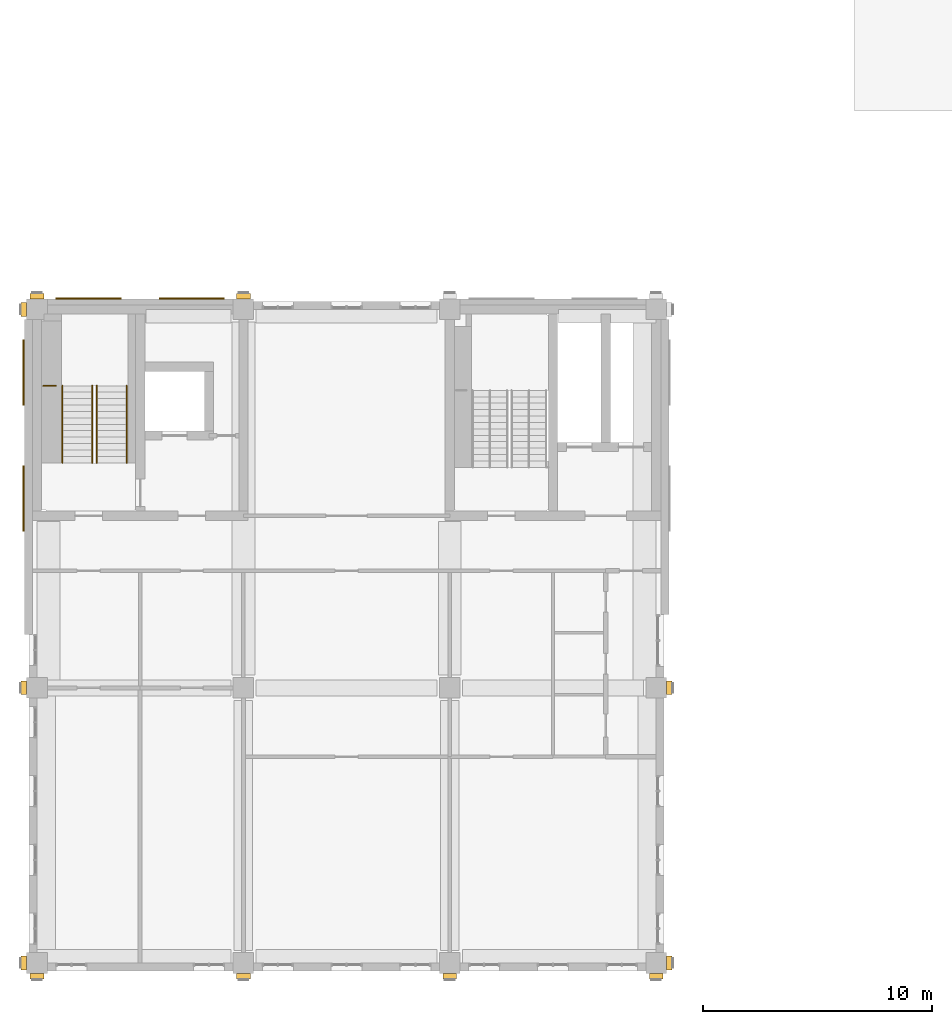
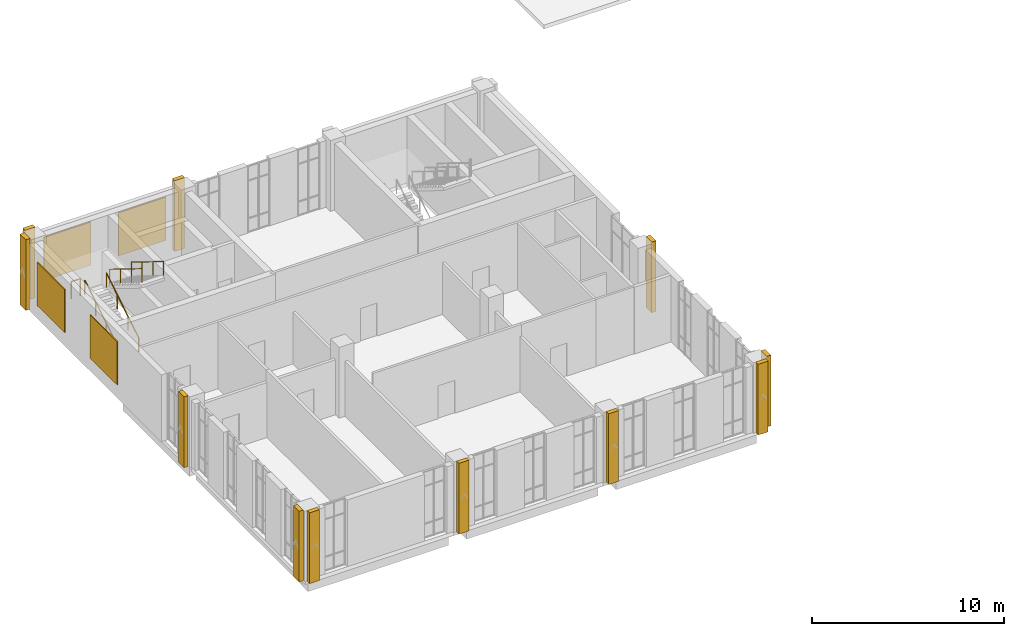
# One storey, part 23 of 25: 15 coverings, 5 railings.
"""IFC4 building model written with IfcOpenShell, lengths in metres."""

import ifcopenshell
import ifcopenshell.guid

model = None  # the IFC model being written
_history = None  # IfcOwnerHistory: only IFC2X3 demands one
_inside = {}  # id of a spatial element -> (the spatial element, [elements in it])
_under = {}  # id of a project, library or spatial element -> (it, [spatial elements below it])
_declared = {}  # id of a project -> (the project, [libraries it declares])
_typed = {}  # id of a type object -> (the type object, [elements of that type])
_made_of = {}  # id of a material, layer set ... -> (it, [elements and type objects made of it])


def new_model(schema):
    """Start an empty IFC model of exactly this schema.

    Asked for "IFC4X3", IfcOpenShell would pick the latest addendum, in which some entities
    have other attributes; the version numbers below select the first issue.
    IFC2X3 requires an IfcOwnerHistory on every rooted entity: one is made here for all.
    """
    global model, _history
    if schema == "IFC4X3":
        model = ifcopenshell.file(schema_version=(4, 3, 0, 0))
    else:
        model = ifcopenshell.file(schema=schema)
    _inside.clear()
    _under.clear()
    _declared.clear()
    _typed.clear()
    _made_of.clear()
    _history = None
    if model.schema == "IFC2X3":
        org = make("IfcOrganization", Name="unknown")
        user = make(
            "IfcPersonAndOrganization",
            ThePerson=make("IfcPerson", FamilyName="unknown"),
            TheOrganization=org,
        )
        app = make(
            "IfcApplication",
            ApplicationDeveloper=org,
            Version="unknown",
            ApplicationFullName="unknown",
            ApplicationIdentifier="unknown",
        )
        _history = make(
            "IfcOwnerHistory",
            OwningUser=user,
            OwningApplication=app,
            ChangeAction="ADDED",
            CreationDate=0,
        )
    return model


def make(cls, **values):
    """One entity of the class cls with the attributes given. An attribute that is None is left unset."""
    return model.create_entity(
        cls, **{name: value for name, value in values.items() if value is not None}
    )


def rooted(cls, **values):
    """An entity with a GlobalId (a new one), such as an element, a storey or a relation."""
    return make(cls, GlobalId=ifcopenshell.guid.new(), OwnerHistory=_history, **values)


def si_unit(unit_type, name, prefix=None):
    """IfcSIUnit, for example si_unit("LENGTHUNIT", "METRE", prefix="MILLI")."""
    return make("IfcSIUnit", UnitType=unit_type, Prefix=prefix, Name=name)


def assignment(units):
    """IfcUnitAssignment: the units of a project."""
    return None if units is None else make("IfcUnitAssignment", Units=units)


def point(xyz):
    """IfcCartesianPoint."""
    return None if xyz is None else make("IfcCartesianPoint", Coordinates=xyz)


def direction(xyz):
    """IfcDirection."""
    return None if xyz is None else make("IfcDirection", DirectionRatios=xyz)


def frame(location, z_axis=None, x_axis=None):
    """IfcAxis2Placement3D, a coordinate frame: its origin and axes. An axis left out is left unset."""
    return make(
        "IfcAxis2Placement3D",
        Location=point(location),
        Axis=direction(z_axis),
        RefDirection=direction(x_axis),
    )


def frame_2d(location, x_axis=None):
    """IfcAxis2Placement2D, a coordinate frame in the plane: its origin and x axis."""
    return make(
        "IfcAxis2Placement2D", Location=point(location), RefDirection=direction(x_axis)
    )


def origin():
    """The frame at (0, 0, 0) with its axes left unset."""
    return frame((0.0, 0.0, 0.0))


def origin_2d():
    """The frame at (0, 0) in the plane with its x axis left unset."""
    return frame_2d((0.0, 0.0))


def place(relative_to, where):
    """IfcLocalPlacement: puts the frame where relative to a parent placement (None: the world)."""
    return make(
        "IfcLocalPlacement", PlacementRelTo=relative_to, RelativePlacement=where
    )


def context(
    kind, dimensions, precision=None, world=None, true_north=None, identifier=None
):
    """IfcGeometricRepresentationContext, for example the 3D "Model" context."""
    return make(
        "IfcGeometricRepresentationContext",
        ContextIdentifier=identifier,
        ContextType=kind,
        CoordinateSpaceDimension=dimensions,
        Precision=precision,
        WorldCoordinateSystem=world,
        TrueNorth=true_north,
    )


def subcontext(parent, identifier, kind, view, scale=None):
    """IfcGeometricRepresentationSubContext, for example "Body" below "Model"."""
    return make(
        "IfcGeometricRepresentationSubContext",
        ContextIdentifier=identifier,
        ContextType=kind,
        ParentContext=parent,
        TargetScale=scale,
        TargetView=view,
    )


def project(units=None, contexts=None):
    """IfcProject with its units and contexts."""
    return rooted(
        "IfcProject",
        Name="project",
        RepresentationContexts=contexts,
        UnitsInContext=assignment(units),
    )


def spatial(cls, under=None, at=None, **own):
    """A site, building, storey or space (cls), placed at a placement, below another one or the project."""
    s = rooted(cls, ObjectPlacement=at, **own)
    if under is not None:
        _under.setdefault(under.id(), (under, []))[1].append(s)
    return s


def profile(cls, at=None, kind="AREA", **sizes):
    """A parametric profile (cls). Its sizes go by their IFC names, for example OverallWidth=200.0."""
    return make(cls, ProfileType=kind, Position=at, **sizes)


def rectangle(**sizes):
    """IfcRectangleProfileDef."""
    return profile("IfcRectangleProfileDef", **sizes)


def circle(**sizes):
    """IfcCircleProfileDef."""
    return profile("IfcCircleProfileDef", **sizes)


def extrude(swept, where, along, depth):
    """IfcExtrudedAreaSolid: the profile swept, set in the frame where, extruded along a direction by depth."""
    return make(
        "IfcExtrudedAreaSolid",
        SweptArea=swept,
        Position=where,
        ExtrudedDirection=direction(along),
        Depth=depth,
    )


def shape(context_of_items, identifier, shape_type, items):
    """IfcShapeRepresentation: the items that make up one representation, for example the "Body"."""
    return make(
        "IfcShapeRepresentation",
        ContextOfItems=context_of_items,
        RepresentationIdentifier=identifier,
        RepresentationType=shape_type,
        Items=items,
    )


def material(Name=None, Category=None):
    """IfcMaterial."""
    return make("IfcMaterial", Name=Name, Category=Category)


def layer(
    of_material, thickness, ventilated=None, Name=None, Category=None, Priority=None
):
    """IfcMaterialLayer: one layer of a wall or slab, of a material (None: an air gap)."""
    return make(
        "IfcMaterialLayer",
        Material=of_material,
        LayerThickness=thickness,
        IsVentilated=ventilated,
        Name=Name,
        Category=Category,
        Priority=Priority,
    )


def layer_set(layers, Name=None):
    """IfcMaterialLayerSet."""
    return make("IfcMaterialLayerSet", MaterialLayers=layers, LayerSetName=Name)


def made_of(thing, what):
    """Note that an element or type object is made of a material, layer set ...; save() writes the relation."""
    if what is not None:
        _made_of.setdefault(what.id(), (what, []))[1].append(thing)
    return thing


def type_object(cls, material=None, **own):
    """A type object (cls), such as IfcWallType, which elements share."""
    return made_of(rooted(cls, **own), material)


def element(
    cls,
    number,
    at=None,
    inside=None,
    cuts=None,
    type_object=None,
    material=None,
    context=None,
    identifier="Body",
    shape_type=None,
    held_by="IfcProductDefinitionShape",
    body=None,
    shapes=None,
    **own,
):
    """One element of the class cls, such as IfcWall. Its Tag is "e" and its number.

    at: its placement. inside: the storey or other place that contains it. cuts: it is an
    opening in that element (IfcRelVoidsElement). A single representation is given by context,
    identifier, shape_type and body (its items); several are given by shapes. held_by: the class
    of the entity that holds the representations. save() writes the other relations.
    """
    e = rooted(cls, Tag="e%d" % number, ObjectPlacement=at, **own)
    if body is not None:
        shapes = [shape(context, identifier, shape_type, body)]
    if shapes is not None:
        e.Representation = make(held_by, Representations=shapes)
    if inside is not None:
        _inside.setdefault(inside.id(), (inside, []))[1].append(e)
    if cuts is not None:
        rooted(
            "IfcRelVoidsElement", RelatingBuildingElement=cuts, RelatedOpeningElement=e
        )
    if type_object is not None:
        _typed.setdefault(type_object.id(), (type_object, []))[1].append(e)
    return made_of(e, material)


def aggregate(whole, parts):
    """IfcRelAggregates: a whole, such as a stair, and the parts it consists of."""
    return rooted("IfcRelAggregates", RelatingObject=whole, RelatedObjects=parts)


def save(model, path):
    """Write the relations noted so far, then the file.

    IfcRelAggregates (storeys below a building ...), IfcRelContainedInSpatialStructure (elements
    in a storey), IfcRelDefinesByType, IfcRelAssociatesMaterial and IfcRelDeclares: one each for
    every whole, place, type object, material and project.
    """
    for whole, parts in _under.values():
        aggregate(whole, parts)
    for where, things in _inside.values():
        rooted(
            "IfcRelContainedInSpatialStructure",
            RelatedElements=things,
            RelatingStructure=where,
        )
    for kind, things in _typed.values():
        rooted("IfcRelDefinesByType", RelatedObjects=things, RelatingType=kind)
    for what, things in _made_of.values():
        rooted("IfcRelAssociatesMaterial", RelatedObjects=things, RelatingMaterial=what)
    for by, libraries in _declared.values():
        rooted("IfcRelDeclares", RelatingContext=by, RelatedDefinitions=libraries)
    model.write(path)


model = new_model("IFC4")

# Units and contexts
model_context = context("Model", 3, precision=1e-05, world=origin(), true_north=direction((0.0, 1.0)))
body_context = subcontext(model_context, "Body", "Model", "MODEL_VIEW")
ifc_project = project(units=[si_unit("LENGTHUNIT", "METRE"), si_unit("AREAUNIT", "SQUARE_METRE"), si_unit("VOLUMEUNIT", "CUBIC_METRE"), si_unit("PLANEANGLEUNIT", "RADIAN"), si_unit("MASSUNIT", "GRAM", prefix="KILO")], contexts=[model_context])

# Site, building, storey
site_placement = place(None, origin())
site = spatial("IfcSite", under=ifc_project, at=site_placement, CompositionType="ELEMENT")
building_placement = place(site_placement, origin())
building = spatial("IfcBuilding", under=site, at=building_placement, Name="Aurelan Courthouse", CompositionType="ELEMENT")
storey_placement = place(building_placement, frame((0.0, 0.0, 44.39990234375)))
storey = spatial("IfcBuildingStorey", under=building, at=storey_placement, Name="L08", CompositionType="ELEMENT", Elevation=44.39990234375)

# Coverings
ifc_material_1 = material(Name="Bronze sheet cladding")
ifc_layer = layer(ifc_material_1, 0.06005859375)
ifc_layer_set = layer_set([ifc_layer], Name="Bronze sheet cladding")
covering_type_1 = type_object("IfcCoveringType", Name="Courts' Floors blind bay 2850 x 2750", PredefinedType="CLADDING", material=ifc_layer_set)
for number, where, z_axis, x_axis, name in (
    (1, (2.25, 28.97998046875, 0.900146484375), (0.0, 0.0, 1.0), (1.0, 0.0, 0.0), "Blind bay BB-V5-L08-001"),
    (2, (6.75, 28.97998046875, 0.900146484375), (0.0, 0.0, 1.0), (1.0, 0.0, 0.0), "Blind bay BB-V5-L08-002"),
):
    element("IfcCovering", number, at=place(storey_placement, frame(where, z_axis=z_axis, x_axis=x_axis)), inside=storey, type_object=covering_type_1, Name=name, PredefinedType="CLADDING", context=body_context, shape_type="SweptSolid", body=[
        extrude(rectangle(XDim=2.85009765625, YDim=0.06005859375, at=origin_2d()), origin(), (0.0, 0.0, 1.0), 2.75),
    ])
for number, where, z_axis, x_axis, name in (
    (3, (-0.580078125, 20.25, 0.900146484375), (0.0, 0.0, 1.0), (1.0, 0.0, 0.0), "Blind bay BB-V5-L08-007"),
    (4, (-0.580078125, 25.75, 0.900146484375), (0.0, 0.0, 1.0), (1.0, 0.0, 0.0), "Blind bay BB-V5-L08-008"),
):
    element("IfcCovering", number, at=place(storey_placement, frame(where, z_axis=z_axis, x_axis=x_axis)), inside=storey, type_object=covering_type_1, Name=name, PredefinedType="CLADDING", context=body_context, shape_type="SweptSolid", body=[
        extrude(rectangle(XDim=0.06005859375, YDim=2.85009765625, at=origin_2d()), origin(), (0.0, 0.0, 1.0), 2.75),
    ])
ifc_material_2 = material(Name="Limestone cladding", Category="masonry")
covering_type_2 = type_object("IfcCoveringType", Name="Courts' Floors pilaster fin 600 x 250", PredefinedType="CLADDING", material=ifc_material_2)
for number, where, z_axis, x_axis, name in (
    (5, (0.0, -0.574951171875, 0.0), (0.0, 0.0, 1.0), (1.0, 0.0, 0.0), "Pilaster fin FN-V5-085"),
    (6, (9.0, -0.574951171875, 0.0), (0.0, 0.0, 1.0), (1.0, 0.0, 0.0), "Pilaster fin FN-V5-086"),
    (7, (18.0, -0.574951171875, 0.0), (0.0, 0.0, 1.0), (1.0, 0.0, 0.0), "Pilaster fin FN-V5-087"),
    (8, (27.0, -0.574951171875, 0.0), (0.0, 0.0, 1.0), (1.0, 0.0, 0.0), "Pilaster fin FN-V5-088"),
    (9, (0.0, 29.074951171875, 0.0), (0.0, 0.0, 1.0), (1.0, 0.0, 0.0), "Pilaster fin FN-V5-089"),
    (10, (9.0, 29.074951171875, 0.0), (0.0, 0.0, 1.0), (1.0, 0.0, 0.0), "Pilaster fin FN-V5-090"),
):
    element("IfcCovering", number, at=place(storey_placement, frame(where, z_axis=z_axis, x_axis=x_axis)), inside=storey, type_object=covering_type_2, Name=name, PredefinedType="CLADDING", context=body_context, shape_type="SweptSolid", body=[
        extrude(rectangle(XDim=0.60009765625, YDim=0.25, at=origin_2d()), origin(), (0.0, 0.0, 1.0), 4.5),
    ])
for number, where, z_axis, x_axis, name in (
    (11, (27.574951171875, 0.0, 0.0), (0.0, 0.0, 1.0), (1.0, 0.0, 0.0), "Pilaster fin FN-V5-093"),
    (12, (27.574951171875, 12.0, 0.0), (0.0, 0.0, 1.0), (1.0, 0.0, 0.0), "Pilaster fin FN-V5-094"),
    (13, (-0.574951171875, 0.0, 0.0), (0.0, 0.0, 1.0), (1.0, 0.0, 0.0), "Pilaster fin FN-V5-096"),
    (14, (-0.574951171875, 12.0, 0.0), (0.0, 0.0, 1.0), (1.0, 0.0, 0.0), "Pilaster fin FN-V5-097"),
    (15, (-0.574951171875, 28.5, 0.0), (0.0, 0.0, 1.0), (1.0, 0.0, 0.0), "Pilaster fin FN-V5-098"),
):
    element("IfcCovering", number, at=place(storey_placement, frame(where, z_axis=z_axis, x_axis=x_axis)), inside=storey, type_object=covering_type_2, Name=name, PredefinedType="CLADDING", context=body_context, shape_type="SweptSolid", body=[
        extrude(rectangle(XDim=0.25, YDim=0.60009765625, at=origin_2d()), origin(), (0.0, 0.0, 1.0), 4.5),
    ])

# Railings
ifc_material_3 = material(Name="Steel S355", Category="steel")
railing_type_1 = type_object("IfcRailingType", Name="Stair guard 1100", PredefinedType="GUARDRAIL", material=ifc_material_3)
railing_placement = place(storey_placement, frame((0.830078125, 25.169921875, 2.25)))
element("IfcRailing", 16, at=railing_placement, inside=storey, type_object=railing_type_1, Name="Guard ST-5B-L08-GL1", PredefinedType="GUARDRAIL", context=body_context, shape_type="SweptSolid", body=[
    extrude(circle(Radius=0.02392578125, at=origin_2d()), frame((0.0, 0.0, 1.076171875), z_axis=(-1.0, 0.0, 0.0), x_axis=(0.0, -1.0, 0.0)), (0.0, 0.0, 1.0), 0.550048828125),
    extrude(circle(Radius=0.02099609375, at=origin_2d()), origin(), (0.0, 0.0, 1.0), 1.052001953125),
    extrude(circle(Radius=0.02099609375, at=origin_2d()), frame((-0.550048828125, 0.0, 0.0)), (0.0, 0.0, 1.0), 1.052001953125),
])
railing_type_2 = type_object("IfcRailingType", Name="Stair handrail 900", PredefinedType="HANDRAIL", material=ifc_material_3)
for number, where, name in (
    (17, (1.110107421875, 21.81005859375, 0.173095703125), "Handrail ST-5B-L08-H1"),
    (18, (2.409912109375, 21.81005859375, 0.173095703125), "Handrail ST-5B-L08-H2"),
):
    element("IfcRailing", number, at=place(storey_placement, frame(where)), inside=storey, type_object=railing_type_2, Name=name, PredefinedType="HANDRAIL", context=body_context, shape_type="SweptSolid", body=[
        extrude(circle(Radius=0.02392578125, at=origin_2d()), frame((0.0, 0.0, 0.8759765625), z_axis=(0.0, 0.850606129759, 0.525803396734), x_axis=(-1.0, 0.0, 0.0)), (0.0, 0.0, 1.0), 3.949951171875),
        extrude(circle(Radius=0.02099609375, at=origin_2d()), origin(), (0.0, 0.0, 1.0), 0.851806640625),
        extrude(circle(Radius=0.02099609375, at=origin_2d()), frame((0.0, 1.119873046875, 0.6923828125)), (0.0, 0.0, 1.0), 0.851806640625),
        extrude(circle(Radius=0.02099609375, at=origin_2d()), frame((0.0, 2.239990234375, 1.384521484375)), (0.0, 0.0, 1.0), 0.851806640625),
        extrude(circle(Radius=0.02099609375, at=origin_2d()), frame((0.0, 3.35986328125, 2.076904296875)), (0.0, 0.0, 1.0), 0.851806640625),
    ])
for number, where, name in (
    (19, (2.610107421875, 25.169921875, 2.423095703125), "Handrail ST-5B-L08-H3"),
    (20, (3.909912109375, 25.169921875, 2.423095703125), "Handrail ST-5B-L08-H4"),
):
    element("IfcRailing", number, at=place(storey_placement, frame(where)), inside=storey, type_object=railing_type_2, Name=name, PredefinedType="HANDRAIL", context=body_context, shape_type="SweptSolid", body=[
        extrude(circle(Radius=0.02392578125, at=origin_2d()), frame((0.0, 0.0, 0.8759765625), z_axis=(0.0, -0.850606129759, 0.525803396734), x_axis=(1.0, 0.0, 0.0)), (0.0, 0.0, 1.0), 3.949951171875),
        extrude(circle(Radius=0.02099609375, at=origin_2d()), origin(), (0.0, 0.0, 1.0), 0.851806640625),
        extrude(circle(Radius=0.02099609375, at=origin_2d()), frame((0.0, -1.119873046875, 0.6923828125)), (0.0, 0.0, 1.0), 0.851806640625),
        extrude(circle(Radius=0.02099609375, at=origin_2d()), frame((0.0, -2.239990234375, 1.384521484375)), (0.0, 0.0, 1.0), 0.851806640625),
        extrude(circle(Radius=0.02099609375, at=origin_2d()), frame((0.0, -3.35986328125, 2.076904296875)), (0.0, 0.0, 1.0), 0.851806640625),
    ])

save(model, "model.ifc")
